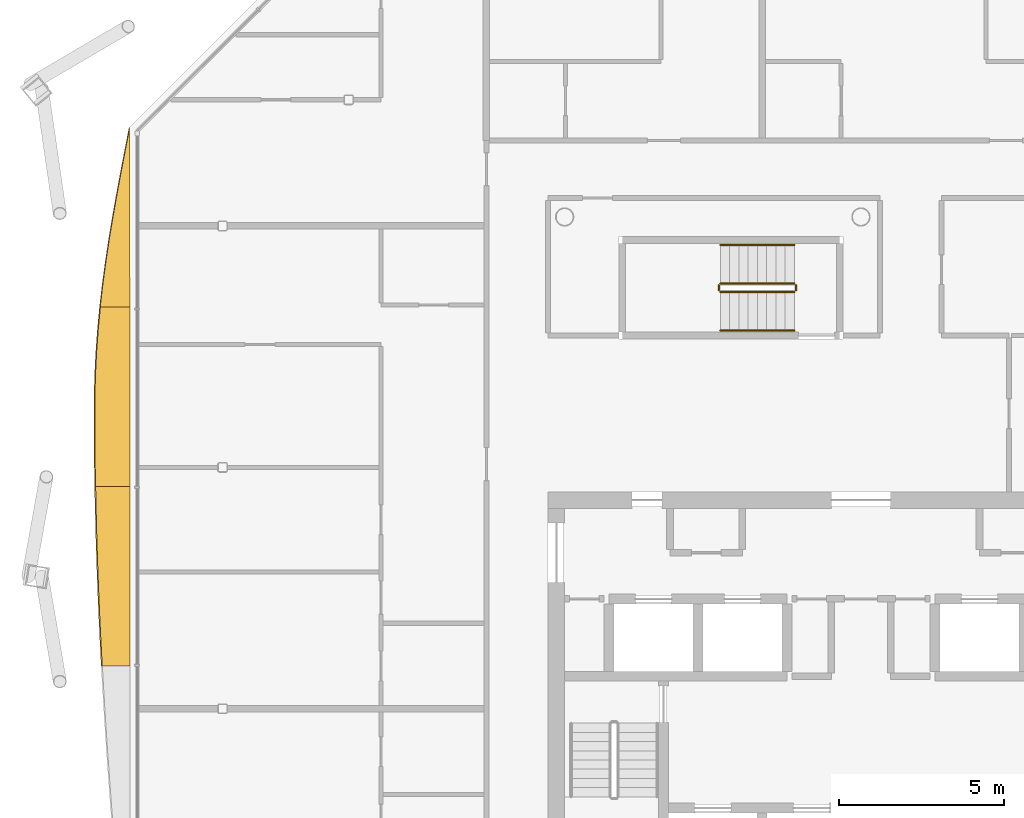
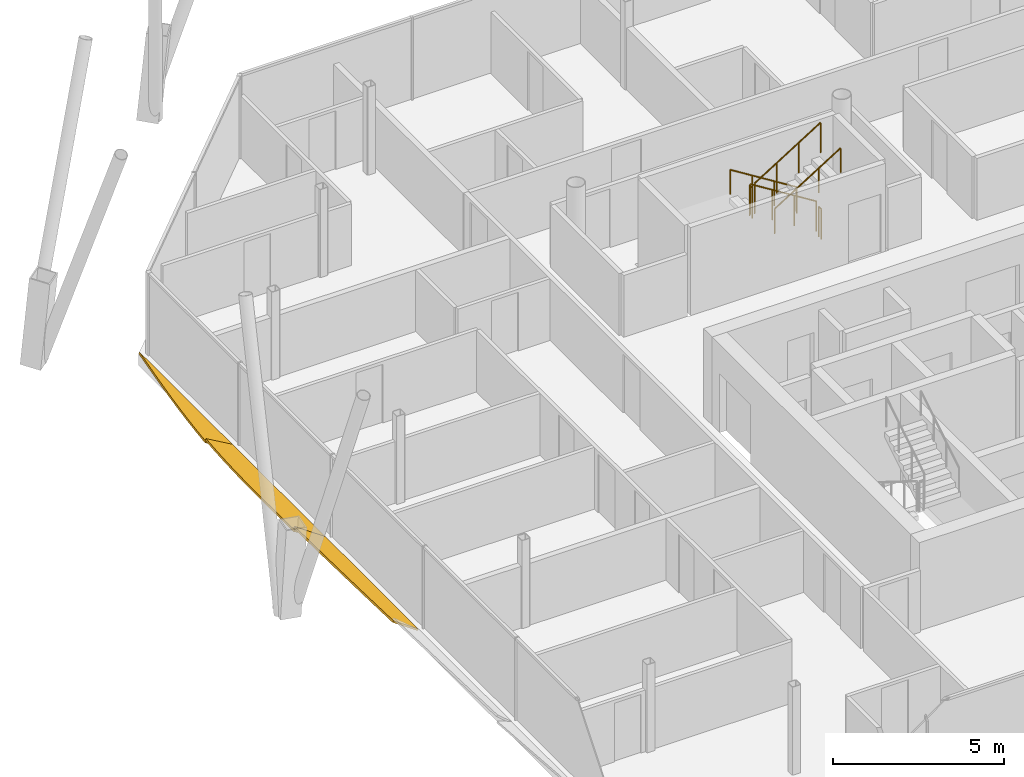
# One storey, part 16 of 18: 6 railings, 3 shading devices.
"""IFC4 building model written with IfcOpenShell, lengths in metres."""

from ifc_helpers import new_model, si_unit, direction, frame, origin, origin_2d, place, context, subcontext, project, spatial, polyline, circle, outline, extrude, material, layer, layer_set, type_object, element, save


model = new_model("IFC4")

# Units and contexts
model_context = context("Model", 3, precision=1e-05, world=origin(), true_north=direction((0.0, 1.0)))
body_context = subcontext(model_context, "Body", "Model", "MODEL_VIEW")
ifc_project = project(units=[si_unit("LENGTHUNIT", "METRE"), si_unit("AREAUNIT", "SQUARE_METRE"), si_unit("VOLUMEUNIT", "CUBIC_METRE"), si_unit("PLANEANGLEUNIT", "RADIAN"), si_unit("MASSUNIT", "GRAM", prefix="KILO")], contexts=[model_context])

# Site, building, storey
site_placement = place(None, origin())
site = spatial("IfcSite", under=ifc_project, at=site_placement, CompositionType="ELEMENT")
building_placement = place(site_placement, origin())
building = spatial("IfcBuilding", under=site, at=building_placement, Name="Tskaro Facet Tower", CompositionType="ELEMENT")
storey_placement = place(building_placement, frame((0.0, 0.0, 217.199951171875)))
storey = spatial("IfcBuildingStorey", under=building, at=storey_placement, Name="L55", CompositionType="ELEMENT", Elevation=217.199951171875)

# Shading devices
ifc_material_1 = material(Name="Bronze anodised aluminium 6063-T6", Category="aluminium")
ifc_layer = layer(ifc_material_1, 0.06005859375, Name="Bronze anodised aluminium 6063-T6")
ifc_layer_set = layer_set([ifc_layer], Name="Bronze anodised aluminium 6063-T6")
shading_device_type = type_object("IfcShadingDeviceType", Name="Bronze sun blade (FN1)", PredefinedType="USERDEFINED", material=ifc_layer_set)
shading_device_1_placement = place(storey_placement, frame((-22.209716796875, 11.712890625, 0.054443359375), z_axis=(0.422645579979, 2.0979876e-05, 0.906295047589), x_axis=(8.867052e-06, -0.99999999978, 1.9013958e-05)))
element("IfcShadingDevice", 1, at=shading_device_1_placement, inside=storey, type_object=shading_device_type, Name="Fin blade west 1", ObjectType="FIN", PredefinedType="USERDEFINED", context=body_context, shape_type="SweptSolid", body=[
    extrude(outline(polyline([(0.0, 0.0), (5.450195311300534, -9.232989997316895e-21), (5.450195314009308, -0.9892351792338829), (4.76904296652325, -0.9024074233797068), (4.087646481737137, -0.8013762662915199), (3.4064941396734496, -0.6880001069133491), (2.7250976575424155, -0.5635916323543462), (2.043701168247145, -0.43067303187674233), (1.3625488294410224, -0.29096973241397833), (0.6811523450329668, -0.14657628987673946), (0.0, 0.0)])), origin(), (0.0, 0.0, -1.0), 0.06005859375),
])
shading_device_2_placement = place(storey_placement, frame((-22.205078125, 6.2626953125, 0.052001953125), z_axis=(0.500059574112, 3.72751e-07, 0.865991005923), x_axis=(1.86398e-07, -1.0, 3.22799e-07)))
element("IfcShadingDevice", 2, at=shading_device_2_placement, inside=storey, type_object=shading_device_type, Name="Fin blade west 2", ObjectType="FIN", PredefinedType="USERDEFINED", context=body_context, shape_type="SweptSolid", body=[
    extrude(outline(polyline([(0.0, 0.0), (5.450439453124622, -1.4427193105661205e-22), (5.450439453101227, -1.2060196951644877), (4.769287109410178, -1.2179516071765852), (4.087890625021956, -1.2258248252800095), (3.4064941406070677, -1.2294279258893306), (3.1069335937198823, -1.229972857917152), (2.725341796872638, -1.2269146893356528), (2.043945312464257, -1.2065646271923094), (1.3627929687351443, -1.1674099602606178), (0.681396484423094, -1.1099956205683998), (-2.892314243752866e-11, -1.0351673024573769), (0.0, 0.0)])), origin(), (0.0, 0.0, -1.0), 0.06005859375),
])
shading_device_3_placement = place(storey_placement, frame((-22.20068359375, 0.812255859375, 0.04931640625), z_axis=(0.573547867863, -6.915035e-06, 0.819172047388), x_axis=(-3.966104e-06, -0.999999999976, -5.664604e-06)))
element("IfcShadingDevice", 3, at=shading_device_3_placement, inside=storey, type_object=shading_device_type, Name="Fin blade west 3", ObjectType="FIN", PredefinedType="USERDEFINED", context=body_context, shape_type="SweptSolid", body=[
    extrude(outline(polyline([(0.0, 0.0), (5.4504394529946865, 0.0), (5.450439452356112, -1.0312601972401902), (4.769042968305405, -1.074741887046085), (4.087890625292216, -1.1149034412405299), (3.4064941401299786, -1.151344873472252), (2.7253417964199294, -1.1841261505819567), (2.0439453133267533, -1.212907253059077), (1.3625488277412374, -1.2377682403978372), (0.6813964854055428, -1.2584890267690825), (-1.0157728880773125e-09, -1.2750897048263308), (0.0, 0.0)])), origin(), (0.0, 0.0, -1.0), 0.06005859375),
])

# Railings
ifc_material_2 = material(Name="Stainless steel", Category="steel")
railing_type_1 = type_object("IfcRailingType", Name="RL-GUARD-1100", PredefinedType="GUARDRAIL", material=ifc_material_2)
railing_1_placement = place(storey_placement, frame((-2.02490234375, 6.97509765625, 0.175048828125)))
element("IfcRailing", 4, at=railing_1_placement, inside=storey, type_object=railing_type_1, Name="L55 ST-3 stair guard 1", PredefinedType="GUARDRAIL", context=body_context, shape_type="SweptSolid", body=[
    extrude(circle(Radius=0.02392578125, at=origin_2d()), frame((0.0, 0.0, 1.076171875), z_axis=(-0.848013881152, 0.0, 0.529974015752), x_axis=(0.0, -1.0, 0.0)), (0.0, 0.0, 1.0), 2.641357421875),
    extrude(circle(Radius=0.02099609375, at=origin_2d()), origin(), (0.0, 0.0, 1.0), 1.052001953125),
    extrude(circle(Radius=0.02099609375, at=origin_2d()), frame((-0.74658203125, 0.0, 0.466552734375)), (0.0, 0.0, 1.0), 1.052001953125),
    extrude(circle(Radius=0.02099609375, at=origin_2d()), frame((-1.493408203125, 0.0, 0.933349609375)), (0.0, 0.0, 1.0), 1.052001953125),
    extrude(circle(Radius=0.02099609375, at=origin_2d()), frame((-2.239990234375, 0.0, 1.39990234375)), (0.0, 0.0, 1.0), 1.052001953125),
])
railing_2_placement = place(storey_placement, frame((-4.31494140625, 6.925048828125, 1.574951171875)))
element("IfcRailing", 5, at=railing_2_placement, inside=storey, type_object=railing_type_1, Name="L55 ST-3 stair guard 2", PredefinedType="GUARDRAIL", context=body_context, shape_type="SweptSolid", body=[
    extrude(circle(Radius=0.02392578125, at=origin_2d()), frame((0.0, 0.0, 1.076171875), z_axis=(0.0, -1.0, 0.0), x_axis=(1.0, 0.0, 0.0)), (0.0, 0.0, 1.0), 0.150146484375),
    extrude(circle(Radius=0.02099609375, at=origin_2d()), origin(), (0.0, 0.0, 1.0), 1.052001953125),
    extrude(circle(Radius=0.02099609375, at=origin_2d()), frame((0.0, -0.150146484375, 0.0)), (0.0, 0.0, 1.0), 1.052001953125),
])
railing_3_placement = place(storey_placement, frame((-4.264892578125, 6.72509765625, 1.75)))
element("IfcRailing", 6, at=railing_3_placement, inside=storey, type_object=railing_type_1, Name="L55 ST-3 stair guard 3", PredefinedType="GUARDRAIL", context=body_context, shape_type="SweptSolid", body=[
    extrude(circle(Radius=0.02392578125, at=origin_2d()), frame((0.0, 0.0, 1.076171875), z_axis=(0.847972341737, 0.0, 0.530040477369), x_axis=(0.0, 1.0, 0.0)), (0.0, 0.0, 1.0), 2.6416015625),
    extrude(circle(Radius=0.02099609375, at=origin_2d()), origin(), (0.0, 0.0, 1.0), 1.052001953125),
    extrude(circle(Radius=0.02099609375, at=origin_2d()), frame((0.74658203125, 0.0, 0.466796875)), (0.0, 0.0, 1.0), 1.052001953125),
    extrude(circle(Radius=0.02099609375, at=origin_2d()), frame((1.493408203125, 0.0, 0.933349609375)), (0.0, 0.0, 1.0), 1.052001953125),
    extrude(circle(Radius=0.02099609375, at=origin_2d()), frame((2.239990234375, 0.0, 1.400146484375)), (0.0, 0.0, 1.0), 1.052001953125),
])
railing_4_placement = place(storey_placement, frame((-1.97509765625, 6.925048828125, 0.0)))
element("IfcRailing", 7, at=railing_4_placement, inside=storey, type_object=railing_type_1, Name="L55 ST-3 stair guard 4", PredefinedType="GUARDRAIL", context=body_context, shape_type="SweptSolid", body=[
    extrude(circle(Radius=0.02392578125, at=origin_2d()), frame((0.0, 0.0, 1.076171875), z_axis=(0.0, -1.0, 0.0), x_axis=(1.0, 0.0, 0.0)), (0.0, 0.0, 1.0), 0.150146484375),
    extrude(circle(Radius=0.02099609375, at=origin_2d()), origin(), (0.0, 0.0, 1.0), 1.052001953125),
    extrude(circle(Radius=0.02099609375, at=origin_2d()), frame((0.0, -0.150146484375, 0.0)), (0.0, 0.0, 1.0), 1.052001953125),
])
railing_type_2 = type_object("IfcRailingType", Name="RL-HANDRAIL-900", PredefinedType="HANDRAIL", material=ifc_material_2)
railing_5_placement = place(storey_placement, frame((-2.02490234375, 8.14990234375, 0.175048828125)))
element("IfcRailing", 8, at=railing_5_placement, inside=storey, type_object=railing_type_2, Name="L55 ST-3 stair handrail 1", PredefinedType="HANDRAIL", context=body_context, shape_type="SweptSolid", body=[
    extrude(circle(Radius=0.02392578125, at=origin_2d()), frame((0.0, 0.0, 0.8759765625), z_axis=(-0.848013881152, 0.0, 0.529974015752), x_axis=(0.0, -1.0, 0.0)), (0.0, 0.0, 1.0), 2.641357421875),
    extrude(circle(Radius=0.02099609375, at=origin_2d()), origin(), (0.0, 0.0, 1.0), 0.851806640625),
    extrude(circle(Radius=0.02099609375, at=origin_2d()), frame((-0.74658203125, 0.0, 0.466552734375)), (0.0, 0.0, 1.0), 0.851806640625),
    extrude(circle(Radius=0.02099609375, at=origin_2d()), frame((-1.493408203125, 0.0, 0.933349609375)), (0.0, 0.0, 1.0), 0.851806640625),
    extrude(circle(Radius=0.02099609375, at=origin_2d()), frame((-2.239990234375, 0.0, 1.39990234375)), (0.0, 0.0, 1.0), 0.851806640625),
])
railing_6_placement = place(storey_placement, frame((-4.264892578125, 5.550048828125, 1.75)))
element("IfcRailing", 9, at=railing_6_placement, inside=storey, type_object=railing_type_2, Name="L55 ST-3 stair handrail 2", PredefinedType="HANDRAIL", context=body_context, shape_type="SweptSolid", body=[
    extrude(circle(Radius=0.02392578125, at=origin_2d()), frame((0.0, 0.0, 0.8759765625), z_axis=(0.847972341737, 0.0, 0.530040477369), x_axis=(0.0, 1.0, 0.0)), (0.0, 0.0, 1.0), 2.6416015625),
    extrude(circle(Radius=0.02099609375, at=origin_2d()), origin(), (0.0, 0.0, 1.0), 0.851806640625),
    extrude(circle(Radius=0.02099609375, at=origin_2d()), frame((0.74658203125, 0.0, 0.466796875)), (0.0, 0.0, 1.0), 0.851806640625),
    extrude(circle(Radius=0.02099609375, at=origin_2d()), frame((1.493408203125, 0.0, 0.933349609375)), (0.0, 0.0, 1.0), 0.851806640625),
    extrude(circle(Radius=0.02099609375, at=origin_2d()), frame((2.239990234375, 0.0, 1.400146484375)), (0.0, 0.0, 1.0), 0.851806640625),
])

save(model, "model.ifc")
